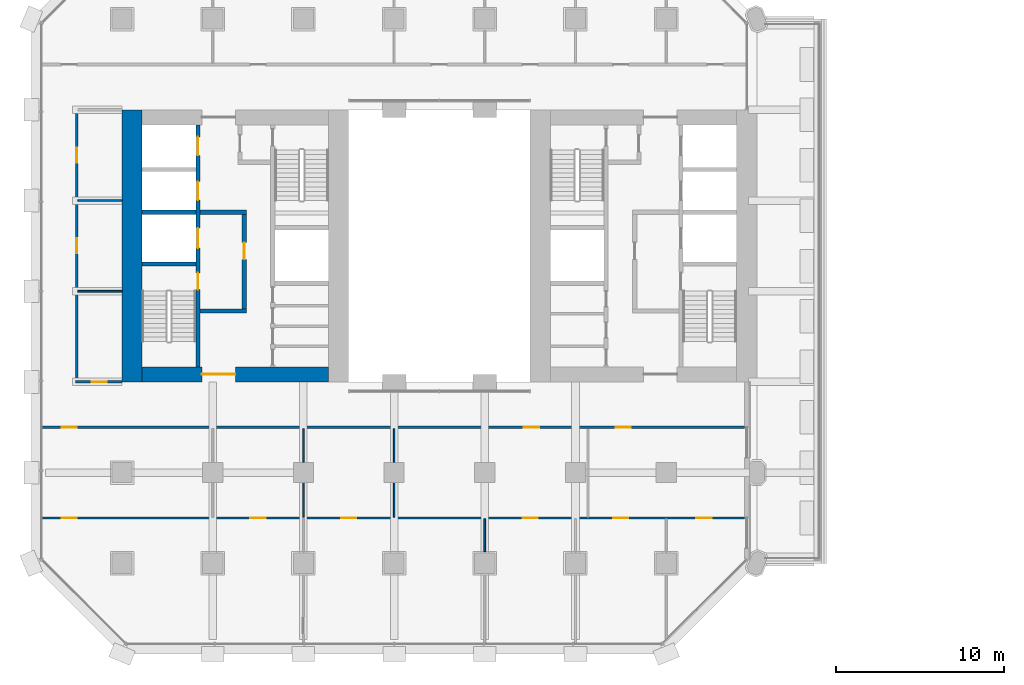
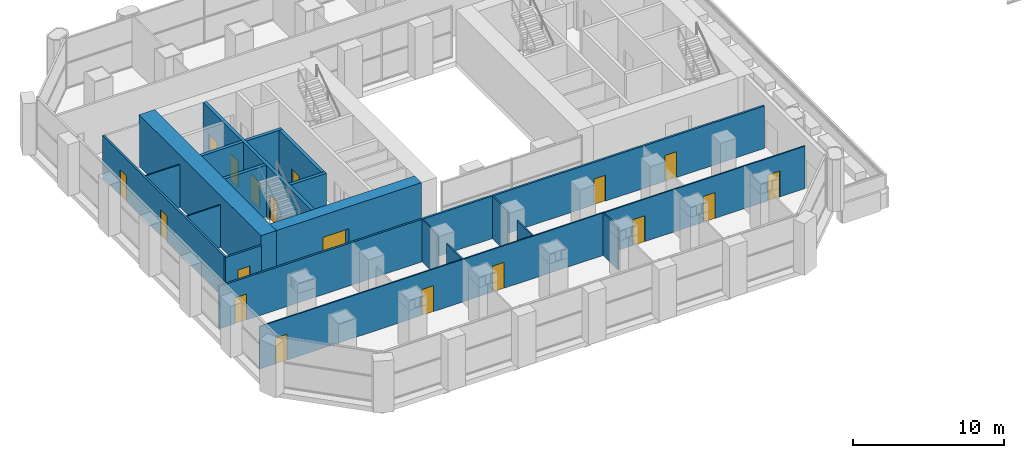
# One storey, part 12 of 23: 19 walls, 18 doors, 18 openings.
"""IFC4 building model written with IfcOpenShell, lengths in metres."""

from ifc_helpers import new_model, si_unit, direction, frame, frame_2d, origin, place, context, subcontext, project, spatial, rectangle, extrude, material, layer, layer_set, type_object, element, fill, save


model = new_model("IFC4")

# Units and contexts
model_context = context("Model", 3, precision=1e-05, world=origin(), true_north=direction((0.0, 1.0)))
body_context = subcontext(model_context, "Body", "Model", "MODEL_VIEW")
ifc_project = project(units=[si_unit("LENGTHUNIT", "METRE"), si_unit("AREAUNIT", "SQUARE_METRE"), si_unit("VOLUMEUNIT", "CUBIC_METRE"), si_unit("PLANEANGLEUNIT", "RADIAN"), si_unit("MASSUNIT", "GRAM", prefix="KILO")], contexts=[model_context])

# Site, building, storey
site_placement = place(None, origin())
site = spatial("IfcSite", under=ifc_project, at=site_placement, CompositionType="ELEMENT")
building_placement = place(site_placement, origin())
building = spatial("IfcBuilding", under=site, at=building_placement, Name="Tabaq Tower and Sports Hall", CompositionType="ELEMENT")
storey_placement = place(building_placement, frame((0.0, 0.0, 29.10009765625)))
storey = spatial("IfcBuildingStorey", under=building, at=storey_placement, Name="L05", CompositionType="ELEMENT", Elevation=29.10009765625)

# Wall
ifc_material_1 = material(Name="Concrete C60/75", Category="concrete")
ifc_layer_1 = layer(ifc_material_1, 1.199951171875)
ifc_layer_set_1 = layer_set([ifc_layer_1], Name="Core wall 1200 Concrete C60/75")
wall_type_1 = type_object("IfcWallType", Name="Core wall 1200 Concrete C60/75", PredefinedType="SOLIDWALL", material=ifc_layer_set_1)
wall_1_placement = place(storey_placement, frame((6.0, 16.199951171875, 0.0), z_axis=(0.0, 0.0, 1.0), x_axis=(0.0, 1.0, 0.0)))
element("IfcWall", 1, at=wall_1_placement, inside=storey, type_object=wall_type_1, Name="Core wall W L05", PredefinedType="SOLIDWALL", context=body_context, shape_type="SweptSolid", body=[
    extrude(rectangle(XDim=16.199951171875, YDim=1.199951171875, at=frame_2d((8.10009765625, 0.0))), origin(), (0.0, 0.0, 1.0), 4.199951171875),
])

# Wall, opening, door
ifc_material_2 = material(Name="Concrete C60/75", Category="concrete")
ifc_layer_2 = layer(ifc_material_2, 0.89990234375)
ifc_layer_set_2 = layer_set([ifc_layer_2], Name="Core wall 900 Concrete C60/75")
wall_type_2 = type_object("IfcWallType", Name="Core wall 900 Concrete C60/75", PredefinedType="SOLIDWALL", material=ifc_layer_set_2)
wall_2_placement = place(storey_placement, frame((17.699951171875, 16.64990234375, 0.0), z_axis=(0.0, 0.0, 1.0), x_axis=(-1.0, 0.0, 0.0)))
wall_2 = element("IfcWall", 2, at=wall_2_placement, inside=storey, type_object=wall_type_2, Name="Core wall W L05", PredefinedType="SOLIDWALL", context=body_context, shape_type="SweptSolid", body=[
    extrude(rectangle(XDim=11.099853515625, YDim=0.89990234375, at=frame_2d((5.5498046875, 0.0))), origin(), (0.0, 0.0, 1.0), 4.199951171875),
])
opening_1_placement = place(wall_2_placement, frame((5.550048828125, 0.0, 0.0)))
opening_1 = element("IfcOpeningElement", 3, at=opening_1_placement, cuts=wall_2, Name="Opening PD-WL05-01", PredefinedType="OPENING", context=body_context, shape_type="SweptSolid", body=[
    extrude(rectangle(XDim=2.0, YDim=2.39990234375, at=frame_2d((1.0, 1.199951171875))), frame((0.0, 0.449951171875, 0.0), z_axis=(0.0, -1.0, 0.0), x_axis=(1.0, 0.0, 0.0)), (0.0, 0.0, 1.0), 0.89990234375),
])
ifc_material_3 = material(Name="Steel fire door", Category="steel")
door_type_1 = type_object("IfcDoorType", Name="Core entrance door 2000", OperationType="DOUBLE_DOOR_SINGLE_SWING", PredefinedType="DOOR", material=ifc_material_3)
door_1_placement = place(opening_1_placement, origin())
door_1 = element("IfcDoor", 4, at=door_1_placement, inside=storey, type_object=door_type_1, Name="Core entrance south W L05", OperationType="DOUBLE_DOOR_SINGLE_SWING", OverallHeight=2.39990234375, OverallWidth=2.0, PredefinedType="DOOR", context=body_context, shape_type="SweptSolid", body=[
    extrude(rectangle(XDim=2.0, YDim=2.39990234375, at=frame_2d((1.0, 1.199951171875))), frame((0.0, 0.02490234375, 0.0), z_axis=(0.0, -1.0, 0.0), x_axis=(1.0, 0.0, 0.0)), (0.0, 0.0, 1.0), 0.050048828125),
])
fill(opening_1, door_1)

# Walls
ifc_material_4 = material(Name="Gypsum board on steel studs", Category="steel")
ifc_layer_3 = layer(ifc_material_4, 0.10009765625)
ifc_layer_set_3 = layer_set([ifc_layer_3], Name="Partition 100 Gypsum board")
wall_type_3 = type_object("IfcWallType", Name="Partition 100 Gypsum board", PredefinedType="PARTITIONING", material=ifc_layer_set_3)
wall_3_placement = place(storey_placement, frame((16.199951171875, 8.14990234375, 0.0), z_axis=(0.0, 0.0, 1.0), x_axis=(0.0, 1.0, 0.0)))
element("IfcWall", 5, at=wall_3_placement, inside=storey, type_object=wall_type_3, Name="Partition wall L05", PredefinedType="PARTITIONING", context=body_context, shape_type="SweptSolid", body=[
    extrude(rectangle(XDim=2.030029296875, YDim=0.10009765625, at=frame_2d((1.01513671875, 0.0))), origin(), (0.0, 0.0, 1.0), 3.449951171875),
])
wall_4_placement = place(storey_placement, frame((16.199951171875, 11.419921875, 0.0), z_axis=(0.0, 0.0, 1.0), x_axis=(0.0, 1.0, 0.0)))
element("IfcWall", 6, at=wall_4_placement, inside=storey, type_object=wall_type_3, Name="Partition wall L05", PredefinedType="PARTITIONING", context=body_context, shape_type="SweptSolid", body=[
    extrude(rectangle(XDim=2.005126953125, YDim=0.10009765625, at=frame_2d((1.00244140625, 0.0))), origin(), (0.0, 0.0, 1.0), 3.449951171875),
])
wall_5_placement = place(storey_placement, frame((21.60009765625, 8.14990234375, 0.0), z_axis=(0.0, 0.0, 1.0), x_axis=(0.0, 1.0, 0.0)))
element("IfcWall", 7, at=wall_5_placement, inside=storey, type_object=wall_type_3, Name="Partition wall L05", PredefinedType="PARTITIONING", context=body_context, shape_type="SweptSolid", body=[
    extrude(rectangle(XDim=2.030029296875, YDim=0.10009765625, at=frame_2d((1.01513671875, 0.0))), origin(), (0.0, 0.0, 1.0), 3.449951171875),
])
wall_6_placement = place(storey_placement, frame((21.60009765625, 11.419921875, 0.0), z_axis=(0.0, 0.0, 1.0), x_axis=(0.0, 1.0, 0.0)))
element("IfcWall", 8, at=wall_6_placement, inside=storey, type_object=wall_type_3, Name="Partition wall L05", PredefinedType="PARTITIONING", context=body_context, shape_type="SweptSolid", body=[
    extrude(rectangle(XDim=2.005126953125, YDim=0.10009765625, at=frame_2d((1.00244140625, 0.0))), origin(), (0.0, 0.0, 1.0), 3.449951171875),
])

# Wall, openings, doors
wall_7_placement = place(storey_placement, frame((0.60009765625, 8.10009765625, 0.0), z_axis=(0.0, 0.0, 1.0), x_axis=(1.0, 0.0, 0.0)))
wall_7 = element("IfcWall", 9, at=wall_7_placement, inside=storey, type_object=wall_type_3, Name="Partition wall L05", PredefinedType="PARTITIONING", context=body_context, shape_type="SweptSolid", body=[
    extrude(rectangle(XDim=41.848876953125, YDim=0.10009765625, at=frame_2d((20.92431640625, 0.0))), origin(), (0.0, 0.0, 1.0), 3.449951171875),
])
opening_2_placement = place(wall_7_placement, frame((12.449951171875, 0.0, 0.0)))
opening_2 = element("IfcOpeningElement", 10, at=opening_2_placement, cuts=wall_7, Name="Opening L05-010", PredefinedType="OPENING", context=body_context, shape_type="SweptSolid", body=[
    extrude(rectangle(XDim=0.89990234375, YDim=2.10009765625, at=frame_2d((0.449951171875, 1.050048828125))), frame((0.0, 0.050048828125, 0.0), z_axis=(0.0, -1.0, 0.0), x_axis=(1.0, 0.0, 0.0)), (0.0, 0.0, 1.0), 0.10009765625),
])
opening_3_placement = place(wall_7_placement, frame((17.85009765625, 0.0, 0.0)))
opening_3 = element("IfcOpeningElement", 11, at=opening_3_placement, cuts=wall_7, Name="Opening L05-011", PredefinedType="OPENING", context=body_context, shape_type="SweptSolid", body=[
    extrude(rectangle(XDim=0.89990234375, YDim=2.10009765625, at=frame_2d((0.449951171875, 1.050048828125))), frame((0.0, 0.050048828125, 0.0), z_axis=(0.0, -1.0, 0.0), x_axis=(1.0, 0.0, 0.0)), (0.0, 0.0, 1.0), 0.10009765625),
])
opening_4_placement = place(wall_7_placement, frame((34.03759765625, 0.0, 0.0)))
opening_4 = element("IfcOpeningElement", 12, at=opening_4_placement, cuts=wall_7, Name="Opening L05-012", PredefinedType="OPENING", context=body_context, shape_type="SweptSolid", body=[
    extrude(rectangle(XDim=0.89990234375, YDim=2.10009765625, at=frame_2d((0.449951171875, 1.050048828125))), frame((0.0, 0.050048828125, 0.0), z_axis=(0.0, -1.0, 0.0), x_axis=(1.0, 0.0, 0.0)), (0.0, 0.0, 1.0), 0.10009765625),
])
opening_5_placement = place(wall_7_placement, frame((39.0, 0.0, 0.0)))
opening_5 = element("IfcOpeningElement", 13, at=opening_5_placement, cuts=wall_7, Name="Opening L05-013", PredefinedType="OPENING", context=body_context, shape_type="SweptSolid", body=[
    extrude(rectangle(XDim=0.89990234375, YDim=2.10009765625, at=frame_2d((0.449951171875, 1.050048828125))), frame((0.0, 0.050048828125, 0.0), z_axis=(0.0, -1.0, 0.0), x_axis=(1.0, 0.0, 0.0)), (0.0, 0.0, 1.0), 0.10009765625),
])
opening_6_placement = place(wall_7_placement, frame((28.64990234375, 0.0, 0.0)))
opening_6 = element("IfcOpeningElement", 14, at=opening_6_placement, cuts=wall_7, Name="Opening L05-014", PredefinedType="OPENING", context=body_context, shape_type="SweptSolid", body=[
    extrude(rectangle(XDim=0.89990234375, YDim=2.10009765625, at=frame_2d((0.449951171875, 1.050048828125))), frame((0.0, 0.050048828125, 0.0), z_axis=(0.0, -1.0, 0.0), x_axis=(1.0, 0.0, 0.0)), (0.0, 0.0, 1.0), 0.10009765625),
])
opening_7_placement = place(wall_7_placement, frame((1.199951171875, 0.0, 0.0)))
opening_7 = element("IfcOpeningElement", 15, at=opening_7_placement, cuts=wall_7, Name="Opening L05-017", PredefinedType="OPENING", context=body_context, shape_type="SweptSolid", body=[
    extrude(rectangle(XDim=0.89990234375, YDim=2.10009765625, at=frame_2d((0.449951171875, 1.050048828125))), frame((0.0, 0.050048828125, 0.0), z_axis=(0.0, -1.0, 0.0), x_axis=(1.0, 0.0, 0.0)), (0.0, 0.0, 1.0), 0.10009765625),
])
ifc_material_5 = material(Name="Timber leaf in steel frame", Category="steel")
door_type_2 = type_object("IfcDoorType", Name="Internal door 900 left hand", OperationType="SINGLE_SWING_LEFT", PredefinedType="DOOR", material=ifc_material_5)
door_2_placement = place(opening_7_placement, origin())
door_2 = element("IfcDoor", 16, at=door_2_placement, inside=storey, type_object=door_type_2, Name="Internal door L05-017", OperationType="SINGLE_SWING_LEFT", OverallHeight=2.10009765625, OverallWidth=0.89990234375, PredefinedType="DOOR", context=body_context, shape_type="SweptSolid", body=[
    extrude(rectangle(XDim=0.89990234375, YDim=2.10009765625, at=frame_2d((0.449951171875, 1.050048828125))), frame((0.0, 0.02490234375, 0.0), z_axis=(0.0, -1.0, 0.0), x_axis=(1.0, 0.0, 0.0)), (0.0, 0.0, 1.0), 0.050048828125),
])
fill(opening_7, door_2)
ifc_material_6 = material(Name="Timber leaf in steel frame", Category="steel")
door_type_3 = type_object("IfcDoorType", Name="Internal door 900 right hand", OperationType="SINGLE_SWING_RIGHT", PredefinedType="DOOR", material=ifc_material_6)
door_3_placement = place(opening_2_placement, origin())
door_3 = element("IfcDoor", 17, at=door_3_placement, inside=storey, type_object=door_type_3, Name="Internal door L05-010", OperationType="SINGLE_SWING_RIGHT", OverallHeight=2.10009765625, OverallWidth=0.89990234375, PredefinedType="DOOR", context=body_context, shape_type="SweptSolid", body=[
    extrude(rectangle(XDim=0.89990234375, YDim=2.10009765625, at=frame_2d((0.449951171875, 1.050048828125))), frame((0.0, 0.02490234375, 0.0), z_axis=(0.0, -1.0, 0.0), x_axis=(1.0, 0.0, 0.0)), (0.0, 0.0, 1.0), 0.050048828125),
])
fill(opening_2, door_3)
door_4_placement = place(opening_3_placement, origin())
door_4 = element("IfcDoor", 18, at=door_4_placement, inside=storey, type_object=door_type_3, Name="Internal door L05-011", OperationType="SINGLE_SWING_RIGHT", OverallHeight=2.10009765625, OverallWidth=0.89990234375, PredefinedType="DOOR", context=body_context, shape_type="SweptSolid", body=[
    extrude(rectangle(XDim=0.89990234375, YDim=2.10009765625, at=frame_2d((0.449951171875, 1.050048828125))), frame((0.0, 0.02490234375, 0.0), z_axis=(0.0, -1.0, 0.0), x_axis=(1.0, 0.0, 0.0)), (0.0, 0.0, 1.0), 0.050048828125),
])
fill(opening_3, door_4)
door_5_placement = place(opening_4_placement, origin())
door_5 = element("IfcDoor", 19, at=door_5_placement, inside=storey, type_object=door_type_3, Name="Internal door L05-012", OperationType="SINGLE_SWING_RIGHT", OverallHeight=2.10009765625, OverallWidth=0.89990234375, PredefinedType="DOOR", context=body_context, shape_type="SweptSolid", body=[
    extrude(rectangle(XDim=0.89990234375, YDim=2.10009765625, at=frame_2d((0.449951171875, 1.050048828125))), frame((0.0, 0.02490234375, 0.0), z_axis=(0.0, -1.0, 0.0), x_axis=(1.0, 0.0, 0.0)), (0.0, 0.0, 1.0), 0.050048828125),
])
fill(opening_4, door_5)
door_6_placement = place(opening_5_placement, origin())
door_6 = element("IfcDoor", 20, at=door_6_placement, inside=storey, type_object=door_type_3, Name="Internal door L05-013", OperationType="SINGLE_SWING_RIGHT", OverallHeight=2.10009765625, OverallWidth=0.89990234375, PredefinedType="DOOR", context=body_context, shape_type="SweptSolid", body=[
    extrude(rectangle(XDim=0.89990234375, YDim=2.10009765625, at=frame_2d((0.449951171875, 1.050048828125))), frame((0.0, 0.02490234375, 0.0), z_axis=(0.0, -1.0, 0.0), x_axis=(1.0, 0.0, 0.0)), (0.0, 0.0, 1.0), 0.050048828125),
])
fill(opening_5, door_6)
door_7_placement = place(opening_6_placement, origin())
door_7 = element("IfcDoor", 21, at=door_7_placement, inside=storey, type_object=door_type_3, Name="Internal door L05-014", OperationType="SINGLE_SWING_RIGHT", OverallHeight=2.10009765625, OverallWidth=0.89990234375, PredefinedType="DOOR", context=body_context, shape_type="SweptSolid", body=[
    extrude(rectangle(XDim=0.89990234375, YDim=2.10009765625, at=frame_2d((0.449951171875, 1.050048828125))), frame((0.0, 0.02490234375, 0.0), z_axis=(0.0, -1.0, 0.0), x_axis=(1.0, 0.0, 0.0)), (0.0, 0.0, 1.0), 0.050048828125),
])
fill(opening_6, door_7)

# Walls
wall_8_placement = place(storey_placement, frame((27.0, 6.1005859375, 0.0), z_axis=(0.0, 0.0, 1.0), x_axis=(0.0, 1.0, 0.0)))
element("IfcWall", 22, at=wall_8_placement, inside=storey, type_object=wall_type_3, Name="Partition wall L05", PredefinedType="PARTITIONING", context=body_context, shape_type="SweptSolid", body=[
    extrude(rectangle(XDim=1.949462890625, YDim=0.10009765625, at=frame_2d((0.974609375, 0.0))), origin(), (0.0, 0.0, 1.0), 3.449951171875),
])
for number, where, z_axis, x_axis, name in (
    (23, (5.39990234375, 21.60009765625, 0.0), (0.0, 0.0, 1.0), (-1.0, 0.0, 0.0), "Partition wall L05"),
    (24, (5.39990234375, 27.0, 0.0), (0.0, 0.0, 1.0), (-1.0, 0.0, 0.0), "Partition wall L05"),
):
    element("IfcWall", number, at=place(storey_placement, frame(where, z_axis=z_axis, x_axis=x_axis)), inside=storey, type_object=wall_type_3, Name=name, PredefinedType="PARTITIONING", context=body_context, shape_type="SweptSolid", body=[
        extrude(rectangle(XDim=2.625, YDim=0.10009765625, at=frame_2d((1.3125, 0.0))), origin(), (0.0, 0.0, 1.0), 3.449951171875),
    ])

# Wall, opening, door
ifc_material_7 = material(Name="Blockwork", Category="masonry")
ifc_layer_4 = layer(ifc_material_7, 0.14990234375)
ifc_layer_set_4 = layer_set([ifc_layer_4], Name="Separating wall 150 Blockwork")
wall_type_4 = type_object("IfcWallType", Name="Separating wall 150 Blockwork", PredefinedType="PARTITIONING", material=ifc_layer_set_4)
wall_9_placement = place(storey_placement, frame((5.39990234375, 16.199951171875, 0.0), z_axis=(0.0, 0.0, 1.0), x_axis=(-1.0, 0.0, 0.0)))
wall_9 = element("IfcWall", 25, at=wall_9_placement, inside=storey, type_object=wall_type_4, Name="Separating wall L05", PredefinedType="PARTITIONING", context=body_context, shape_type="SweptSolid", body=[
    extrude(rectangle(XDim=2.77490234375, YDim=0.14990234375, at=frame_2d((1.387451171875, 0.0))), origin(), (0.0, 0.0, 1.0), 3.449951171875),
])
opening_8_placement = place(wall_9_placement, frame((0.89990234375, 0.0, 0.0)))
opening_8 = element("IfcOpeningElement", 26, at=opening_8_placement, cuts=wall_9, Name="Opening L05-007", PredefinedType="OPENING", context=body_context, shape_type="SweptSolid", body=[
    extrude(rectangle(XDim=0.89990234375, YDim=2.10009765625, at=frame_2d((0.449951171875, 1.050048828125))), frame((0.0, 0.074951171875, 0.0), z_axis=(0.0, -1.0, 0.0), x_axis=(1.0, 0.0, 0.0)), (0.0, 0.0, 1.0), 0.14990234375),
])
door_8_placement = place(opening_8_placement, origin())
door_8 = element("IfcDoor", 27, at=door_8_placement, inside=storey, type_object=door_type_2, Name="Internal door L05-007", OperationType="SINGLE_SWING_LEFT", OverallHeight=2.10009765625, OverallWidth=0.89990234375, PredefinedType="DOOR", context=body_context, shape_type="SweptSolid", body=[
    extrude(rectangle(XDim=0.89990234375, YDim=2.10009765625, at=frame_2d((0.449951171875, 1.050048828125))), frame((0.0, 0.02490234375, 0.0), z_axis=(0.0, -1.0, 0.0), x_axis=(1.0, 0.0, 0.0)), (0.0, 0.0, 1.0), 0.050048828125),
])
fill(opening_8, door_8)

# Wall, openings, doors
wall_10_placement = place(storey_placement, frame((2.699951171875, 16.27490234375, 0.0), z_axis=(0.0, 0.0, 1.0), x_axis=(0.0, 1.0, 0.0)))
wall_10 = element("IfcWall", 28, at=wall_10_placement, inside=storey, type_object=wall_type_4, Name="Separating wall L05", PredefinedType="PARTITIONING", context=body_context, shape_type="SweptSolid", body=[
    extrude(rectangle(XDim=16.2001953125, YDim=0.14990234375, at=frame_2d((8.10009765625, 0.0))), origin(), (0.0, 0.0, 1.0), 3.449951171875),
])
opening_9_placement = place(wall_10_placement, frame((7.574951171875, 0.0, 0.0)))
opening_9 = element("IfcOpeningElement", 29, at=opening_9_placement, cuts=wall_10, Name="Opening L05-008", PredefinedType="OPENING", context=body_context, shape_type="SweptSolid", body=[
    extrude(rectangle(XDim=0.89990234375, YDim=2.10009765625, at=frame_2d((0.449951171875, 1.050048828125))), frame((0.0, 0.074951171875, 0.0), z_axis=(0.0, -1.0, 0.0), x_axis=(1.0, 0.0, 0.0)), (0.0, 0.0, 1.0), 0.14990234375),
])
opening_10_placement = place(wall_10_placement, frame((12.97509765625, 0.0, 0.0)))
opening_10 = element("IfcOpeningElement", 30, at=opening_10_placement, cuts=wall_10, Name="Opening L05-009", PredefinedType="OPENING", context=body_context, shape_type="SweptSolid", body=[
    extrude(rectangle(XDim=0.89990234375, YDim=2.10009765625, at=frame_2d((0.449951171875, 1.050048828125))), frame((0.0, 0.074951171875, 0.0), z_axis=(0.0, -1.0, 0.0), x_axis=(1.0, 0.0, 0.0)), (0.0, 0.0, 1.0), 0.14990234375),
])
door_9_placement = place(opening_9_placement, origin())
door_9 = element("IfcDoor", 31, at=door_9_placement, inside=storey, type_object=door_type_2, Name="Internal door L05-008", OperationType="SINGLE_SWING_LEFT", OverallHeight=2.10009765625, OverallWidth=0.89990234375, PredefinedType="DOOR", context=body_context, shape_type="SweptSolid", body=[
    extrude(rectangle(XDim=0.89990234375, YDim=2.10009765625, at=frame_2d((0.449951171875, 1.050048828125))), frame((0.0, 0.02490234375, 0.0), z_axis=(0.0, -1.0, 0.0), x_axis=(1.0, 0.0, 0.0)), (0.0, 0.0, 1.0), 0.050048828125),
])
fill(opening_9, door_9)
door_10_placement = place(opening_10_placement, origin())
door_10 = element("IfcDoor", 32, at=door_10_placement, inside=storey, type_object=door_type_2, Name="Internal door L05-009", OperationType="SINGLE_SWING_LEFT", OverallHeight=2.10009765625, OverallWidth=0.89990234375, PredefinedType="DOOR", context=body_context, shape_type="SweptSolid", body=[
    extrude(rectangle(XDim=0.89990234375, YDim=2.10009765625, at=frame_2d((0.449951171875, 1.050048828125))), frame((0.0, 0.02490234375, 0.0), z_axis=(0.0, -1.0, 0.0), x_axis=(1.0, 0.0, 0.0)), (0.0, 0.0, 1.0), 0.050048828125),
])
fill(opening_10, door_10)

wall_11_placement = place(storey_placement, frame((0.60009765625, 13.5, 0.0), z_axis=(0.0, 0.0, 1.0), x_axis=(1.0, 0.0, 0.0)))
wall_11 = element("IfcWall", 33, at=wall_11_placement, inside=storey, type_object=wall_type_4, Name="Separating wall L05", PredefinedType="PARTITIONING", context=body_context, shape_type="SweptSolid", body=[
    extrude(rectangle(XDim=41.848876953125, YDim=0.14990234375, at=frame_2d((20.92431640625, 0.0))), origin(), (0.0, 0.0, 1.0), 3.449951171875),
])
opening_11_placement = place(wall_11_placement, frame((1.199951171875, 0.0, 0.0)))
opening_11 = element("IfcOpeningElement", 34, at=opening_11_placement, cuts=wall_11, Name="Opening L05-015", PredefinedType="OPENING", context=body_context, shape_type="SweptSolid", body=[
    extrude(rectangle(XDim=0.89990234375, YDim=2.10009765625, at=frame_2d((0.449951171875, 1.050048828125))), frame((0.0, 0.074951171875, 0.0), z_axis=(0.0, -1.0, 0.0), x_axis=(1.0, 0.0, 0.0)), (0.0, 0.0, 1.0), 0.14990234375),
])
opening_12_placement = place(wall_11_placement, frame((28.731201171875, 0.0, 0.0)))
opening_12 = element("IfcOpeningElement", 35, at=opening_12_placement, cuts=wall_11, Name="Opening L05-016", PredefinedType="OPENING", context=body_context, shape_type="SweptSolid", body=[
    extrude(rectangle(XDim=0.89990234375, YDim=2.10009765625, at=frame_2d((0.449951171875, 1.050048828125))), frame((0.0, 0.074951171875, 0.0), z_axis=(0.0, -1.0, 0.0), x_axis=(1.0, 0.0, 0.0)), (0.0, 0.0, 1.0), 0.14990234375),
])
opening_13_placement = place(wall_11_placement, frame((34.193603515625, 0.0, 0.0)))
opening_13 = element("IfcOpeningElement", 36, at=opening_13_placement, cuts=wall_11, Name="Opening L05-019", PredefinedType="OPENING", context=body_context, shape_type="SweptSolid", body=[
    extrude(rectangle(XDim=0.89990234375, YDim=2.10009765625, at=frame_2d((0.449951171875, 1.050048828125))), frame((0.0, 0.074951171875, 0.0), z_axis=(0.0, -1.0, 0.0), x_axis=(1.0, 0.0, 0.0)), (0.0, 0.0, 1.0), 0.14990234375),
])
ifc_material_8 = material(Name="Steel fire door", Category="steel")
door_type_4 = type_object("IfcDoorType", Name="Entrance door 900 left hand", OperationType="SINGLE_SWING_LEFT", PredefinedType="DOOR", material=ifc_material_8)
door_11_placement = place(opening_12_placement, origin())
door_11 = element("IfcDoor", 37, at=door_11_placement, inside=storey, type_object=door_type_4, Name="Entrance door L05-016", OperationType="SINGLE_SWING_LEFT", OverallHeight=2.10009765625, OverallWidth=0.89990234375, PredefinedType="DOOR", context=body_context, shape_type="SweptSolid", body=[
    extrude(rectangle(XDim=0.89990234375, YDim=2.10009765625, at=frame_2d((0.449951171875, 1.050048828125))), frame((0.0, 0.02490234375, 0.0), z_axis=(0.0, -1.0, 0.0), x_axis=(1.0, 0.0, 0.0)), (0.0, 0.0, 1.0), 0.050048828125),
])
fill(opening_12, door_11)
door_12_placement = place(opening_13_placement, origin())
door_12 = element("IfcDoor", 38, at=door_12_placement, inside=storey, type_object=door_type_4, Name="Entrance door L05-019", OperationType="SINGLE_SWING_LEFT", OverallHeight=2.10009765625, OverallWidth=0.89990234375, PredefinedType="DOOR", context=body_context, shape_type="SweptSolid", body=[
    extrude(rectangle(XDim=0.89990234375, YDim=2.10009765625, at=frame_2d((0.449951171875, 1.050048828125))), frame((0.0, 0.02490234375, 0.0), z_axis=(0.0, -1.0, 0.0), x_axis=(1.0, 0.0, 0.0)), (0.0, 0.0, 1.0), 0.050048828125),
])
fill(opening_13, door_12)
ifc_material_9 = material(Name="Steel fire door", Category="steel")
door_type_5 = type_object("IfcDoorType", Name="Entrance door 900 right hand", OperationType="SINGLE_SWING_RIGHT", PredefinedType="DOOR", material=ifc_material_9)
door_13_placement = place(opening_11_placement, origin())
door_13 = element("IfcDoor", 39, at=door_13_placement, inside=storey, type_object=door_type_5, Name="Entrance door L05-015", OperationType="SINGLE_SWING_RIGHT", OverallHeight=2.10009765625, OverallWidth=0.89990234375, PredefinedType="DOOR", context=body_context, shape_type="SweptSolid", body=[
    extrude(rectangle(XDim=0.89990234375, YDim=2.10009765625, at=frame_2d((0.449951171875, 1.050048828125))), frame((0.0, 0.02490234375, 0.0), z_axis=(0.0, -1.0, 0.0), x_axis=(1.0, 0.0, 0.0)), (0.0, 0.0, 1.0), 0.050048828125),
])
fill(opening_11, door_13)

ifc_material_10 = material(Name="Concrete C40/50", Category="concrete")
ifc_layer_5 = layer(ifc_material_10, 0.25)
ifc_layer_set_5 = layer_set([ifc_layer_5], Name="Shaft and stair wall 250 Concrete C40/50")
wall_type_5 = type_object("IfcWallType", Name="Shaft and stair wall 250 Concrete C40/50", PredefinedType="SOLIDWALL", material=ifc_layer_set_5)
wall_12_placement = place(storey_placement, frame((9.925048828125, 17.10009765625, 0.0), z_axis=(0.0, 0.0, 1.0), x_axis=(0.0, 1.0, 0.0)))
wall_12 = element("IfcWall", 40, at=wall_12_placement, inside=storey, type_object=wall_type_5, Name="Shaft wall W L05", PredefinedType="SOLIDWALL", context=body_context, shape_type="SweptSolid", body=[
    extrude(rectangle(XDim=14.39990234375, YDim=0.25, at=frame_2d((7.199951171875, 0.0))), origin(), (0.0, 0.0, 1.0), 4.199951171875),
])
opening_14_placement = place(wall_12_placement, frame((4.60009765625, 0.0, 0.0)))
opening_14 = element("IfcOpeningElement", 41, at=opening_14_placement, cuts=wall_12, Name="Opening SD-WL05-03", PredefinedType="OPENING", context=body_context, shape_type="SweptSolid", body=[
    extrude(rectangle(XDim=1.0, YDim=2.10009765625, at=frame_2d((0.5, 1.050048828125))), frame((0.0, 0.125, 0.0), z_axis=(0.0, -1.0, 0.0), x_axis=(1.0, 0.0, 0.0)), (0.0, 0.0, 1.0), 0.25),
])
opening_15_placement = place(wall_12_placement, frame((7.0625, 0.0, 0.0)))
opening_15 = element("IfcOpeningElement", 42, at=opening_15_placement, cuts=wall_12, Name="Opening LD-FF1-L05", PredefinedType="OPENING", context=body_context, shape_type="SweptSolid", body=[
    extrude(rectangle(XDim=1.199951171875, YDim=2.10009765625, at=frame_2d((0.60009765625, 1.050048828125))), frame((0.0, 0.125, 0.0), z_axis=(0.0, -1.0, 0.0), x_axis=(1.0, 0.0, 0.0)), (0.0, 0.0, 1.0), 0.25),
])
opening_16_placement = place(wall_12_placement, frame((9.925048828125, 0.0, 0.0)))
opening_16 = element("IfcOpeningElement", 43, at=opening_16_placement, cuts=wall_12, Name="Opening LD-LR1-L05", PredefinedType="OPENING", context=body_context, shape_type="SweptSolid", body=[
    extrude(rectangle(XDim=1.10009765625, YDim=2.10009765625, at=frame_2d((0.550048828125, 1.050048828125))), frame((0.0, 0.125, 0.0), z_axis=(0.0, -1.0, 0.0), x_axis=(1.0, 0.0, 0.0)), (0.0, 0.0, 1.0), 0.25),
])
opening_17_placement = place(wall_12_placement, frame((12.58740234375, 0.0, 0.0)))
opening_17 = element("IfcOpeningElement", 44, at=opening_17_placement, cuts=wall_12, Name="Opening LD-LR2-L05", PredefinedType="OPENING", context=body_context, shape_type="SweptSolid", body=[
    extrude(rectangle(XDim=1.10009765625, YDim=2.10009765625, at=frame_2d((0.550048828125, 1.050048828125))), frame((0.0, 0.125, 0.0), z_axis=(0.0, -1.0, 0.0), x_axis=(1.0, 0.0, 0.0)), (0.0, 0.0, 1.0), 0.25),
])
ifc_material_11 = material(Name="Stainless steel", Category="steel")
door_type_6 = type_object("IfcDoorType", Name="Lift landing door 1100", OperationType="DOUBLE_DOOR_SLIDING", PredefinedType="DOOR", material=ifc_material_11)
door_14_placement = place(opening_16_placement, origin())
door_14 = element("IfcDoor", 45, at=door_14_placement, inside=storey, type_object=door_type_6, Name="Lift landing door LR1 W L05", OperationType="DOUBLE_DOOR_SLIDING", OverallHeight=2.10009765625, OverallWidth=1.10009765625, PredefinedType="DOOR", context=body_context, shape_type="SweptSolid", body=[
    extrude(rectangle(XDim=1.10009765625, YDim=2.10009765625, at=frame_2d((0.550048828125, 1.050048828125))), frame((0.0, 0.02490234375, 0.0), z_axis=(0.0, -1.0, 0.0), x_axis=(1.0, 0.0, 0.0)), (0.0, 0.0, 1.0), 0.050048828125),
])
fill(opening_16, door_14)
door_15_placement = place(opening_17_placement, origin())
door_15 = element("IfcDoor", 46, at=door_15_placement, inside=storey, type_object=door_type_6, Name="Lift landing door LR2 W L05", OperationType="DOUBLE_DOOR_SLIDING", OverallHeight=2.10009765625, OverallWidth=1.10009765625, PredefinedType="DOOR", context=body_context, shape_type="SweptSolid", body=[
    extrude(rectangle(XDim=1.10009765625, YDim=2.10009765625, at=frame_2d((0.550048828125, 1.050048828125))), frame((0.0, 0.02490234375, 0.0), z_axis=(0.0, -1.0, 0.0), x_axis=(1.0, 0.0, 0.0)), (0.0, 0.0, 1.0), 0.050048828125),
])
fill(opening_17, door_15)
ifc_material_12 = material(Name="Stainless steel", Category="steel")
door_type_7 = type_object("IfcDoorType", Name="Lift landing door 1200", OperationType="DOUBLE_DOOR_SLIDING", PredefinedType="DOOR", material=ifc_material_12)
door_16_placement = place(opening_15_placement, origin())
door_16 = element("IfcDoor", 47, at=door_16_placement, inside=storey, type_object=door_type_7, Name="Lift landing door FF1 W L05", OperationType="DOUBLE_DOOR_SLIDING", OverallHeight=2.10009765625, OverallWidth=1.199951171875, PredefinedType="DOOR", context=body_context, shape_type="SweptSolid", body=[
    extrude(rectangle(XDim=1.199951171875, YDim=2.10009765625, at=frame_2d((0.60009765625, 1.050048828125))), frame((0.0, 0.02490234375, 0.0), z_axis=(0.0, -1.0, 0.0), x_axis=(1.0, 0.0, 0.0)), (0.0, 0.0, 1.0), 0.050048828125),
])
fill(opening_15, door_16)
ifc_material_13 = material(Name="Steel fire door", Category="steel")
door_type_8 = type_object("IfcDoorType", Name="Stair door 1000", OperationType="SINGLE_SWING_LEFT", PredefinedType="DOOR", material=ifc_material_13)
door_17_placement = place(opening_14_placement, origin())
door_17 = element("IfcDoor", 48, at=door_17_placement, inside=storey, type_object=door_type_8, Name="Stair door ST1 W L05", OperationType="SINGLE_SWING_LEFT", OverallHeight=2.10009765625, OverallWidth=1.0, PredefinedType="DOOR", context=body_context, shape_type="SweptSolid", body=[
    extrude(rectangle(XDim=1.0, YDim=2.10009765625, at=frame_2d((0.5, 1.050048828125))), frame((0.0, 0.02490234375, 0.0), z_axis=(0.0, -1.0, 0.0), x_axis=(1.0, 0.0, 0.0)), (0.0, 0.0, 1.0), 0.050048828125),
])
fill(opening_14, door_17)

# Walls
for number, where, z_axis, x_axis, name in (
    (49, (6.60009765625, 23.22509765625, 0.0), (0.0, 0.0, 1.0), (1.0, 0.0, 0.0), "Stair enclosure wall W L05"),
    (50, (6.60009765625, 26.300048828125, 0.0), (0.0, 0.0, 1.0), (1.0, 0.0, 0.0), "Shaft wall W L05"),
):
    element("IfcWall", number, at=place(storey_placement, frame(where, z_axis=z_axis, x_axis=x_axis)), inside=storey, type_object=wall_type_5, Name=name, PredefinedType="SOLIDWALL", context=body_context, shape_type="SweptSolid", body=[
        extrude(rectangle(XDim=3.199951171875, YDim=0.25, at=frame_2d((1.60009765625, 0.0))), origin(), (0.0, 0.0, 1.0), 4.199951171875),
    ])
for number, where, z_axis, x_axis, name in (
    (51, (10.050048828125, 26.300048828125, 0.0), (0.0, 0.0, 1.0), (1.0, 0.0, 0.0), "Fire-fighting lobby wall W L05"),
    (52, (10.050048828125, 20.425048828125, 0.0), (0.0, 0.0, 1.0), (1.0, 0.0, 0.0), "Fire-fighting lobby wall W L05"),
):
    element("IfcWall", number, at=place(storey_placement, frame(where, z_axis=z_axis, x_axis=x_axis)), inside=storey, type_object=wall_type_5, Name=name, PredefinedType="SOLIDWALL", context=body_context, shape_type="SweptSolid", body=[
        extrude(rectangle(XDim=2.75, YDim=0.25, at=frame_2d((1.375, 0.0))), origin(), (0.0, 0.0, 1.0), 4.199951171875),
    ])

# Wall, opening, door
wall_13_placement = place(storey_placement, frame((12.675048828125, 20.550048828125, 0.0), z_axis=(0.0, 0.0, 1.0), x_axis=(0.0, 1.0, 0.0)))
wall_13 = element("IfcWall", 53, at=wall_13_placement, inside=storey, type_object=wall_type_5, Name="Fire-fighting lobby wall W L05", PredefinedType="SOLIDWALL", context=body_context, shape_type="SweptSolid", body=[
    extrude(rectangle(XDim=5.625, YDim=0.25, at=frame_2d((2.8125, 0.0))), origin(), (0.0, 0.0, 1.0), 4.199951171875),
])
opening_18_placement = place(wall_13_placement, frame((2.949951171875, 0.0, 0.0)))
opening_18 = element("IfcOpeningElement", 54, at=opening_18_placement, cuts=wall_13, Name="Opening FD-WL05-04", PredefinedType="OPENING", context=body_context, shape_type="SweptSolid", body=[
    extrude(rectangle(XDim=1.0, YDim=2.10009765625, at=frame_2d((0.5, 1.050048828125))), frame((0.0, 0.125, 0.0), z_axis=(0.0, -1.0, 0.0), x_axis=(1.0, 0.0, 0.0)), (0.0, 0.0, 1.0), 0.25),
])
ifc_material_14 = material(Name="Steel fire door", Category="steel")
door_type_9 = type_object("IfcDoorType", Name="Fire-fighting lobby door 1000", OperationType="SINGLE_SWING_LEFT", PredefinedType="DOOR", material=ifc_material_14)
door_18_placement = place(opening_18_placement, origin())
door_18 = element("IfcDoor", 55, at=door_18_placement, inside=storey, type_object=door_type_9, Name="Fire-fighting lobby door W L05", OperationType="SINGLE_SWING_LEFT", OverallHeight=2.10009765625, OverallWidth=1.0, PredefinedType="DOOR", context=body_context, shape_type="SweptSolid", body=[
    extrude(rectangle(XDim=1.0, YDim=2.10009765625, at=frame_2d((0.5, 1.050048828125))), frame((0.0, 0.02490234375, 0.0), z_axis=(0.0, -1.0, 0.0), x_axis=(1.0, 0.0, 0.0)), (0.0, 0.0, 1.0), 0.050048828125),
])
fill(opening_18, door_18)

save(model, "model.ifc")
